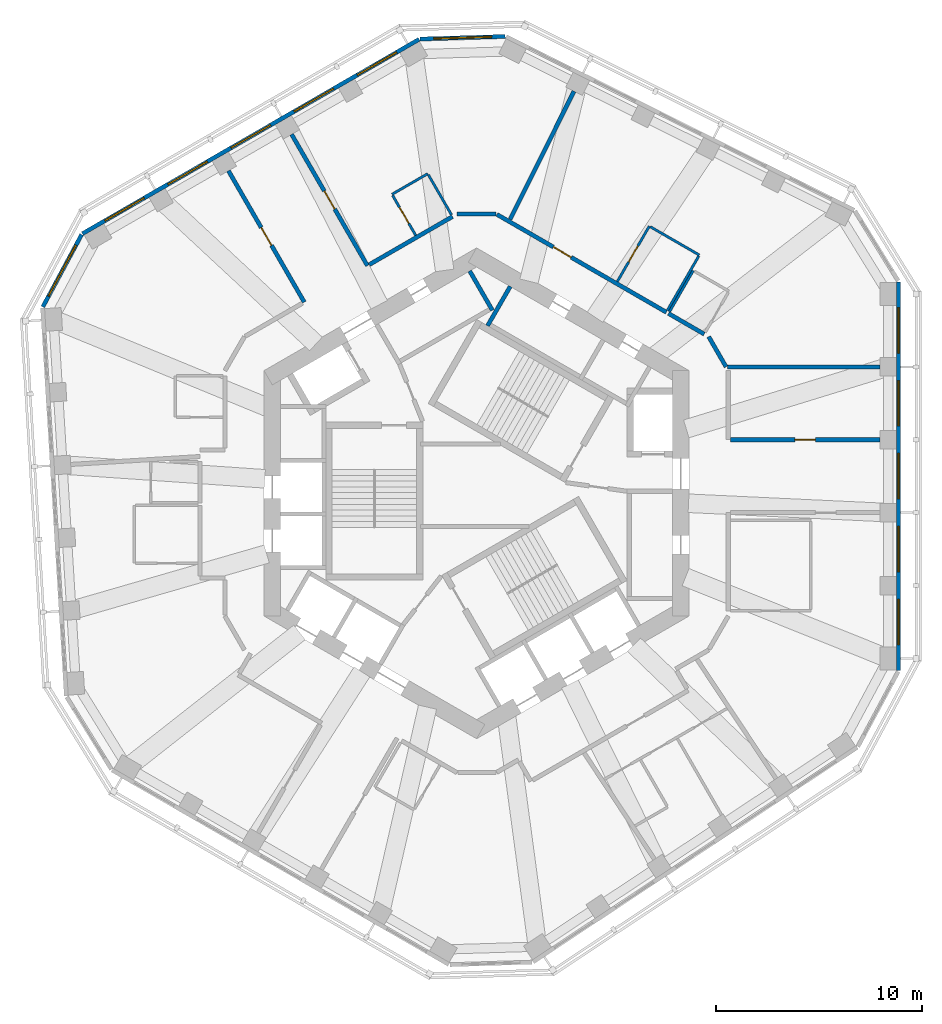
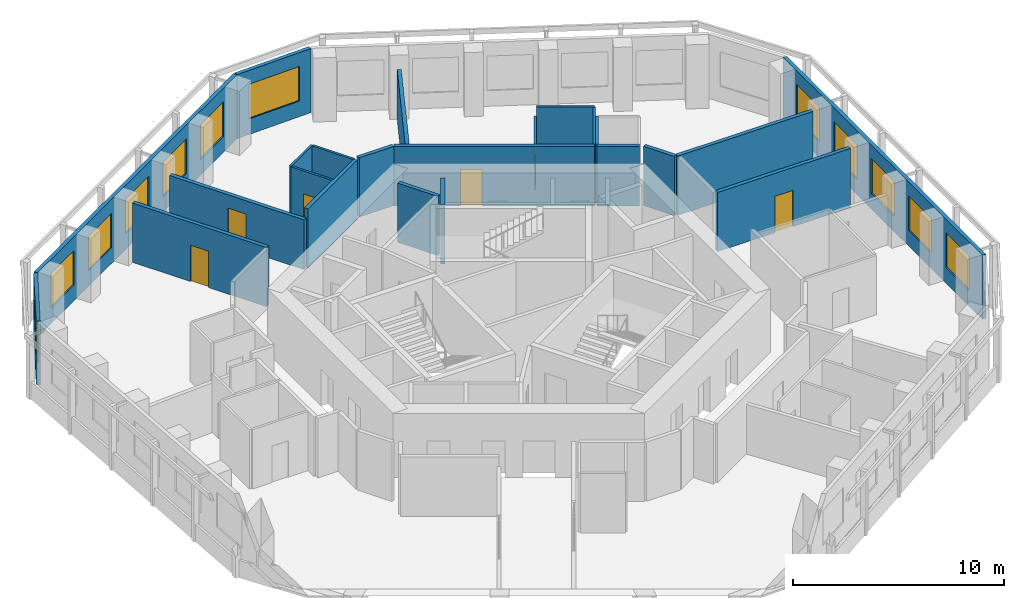
# One storey, part 7 of 11: 23 walls, 12 windows, 6 doors, 18 openings.
"""IFC4 building model written with IfcOpenShell, lengths in metres."""

from ifc_helpers import new_model, si_unit, direction, frame, frame_2d, origin, place, context, subcontext, project, spatial, rectangle, extrude, material, layer, layer_set, type_object, element, fill, save


model = new_model("IFC4")

# Units and contexts
model_context = context("Model", 3, precision=1e-05, world=origin(), true_north=direction((0.0, 1.0)))
body_context = subcontext(model_context, "Body", "Model", "MODEL_VIEW")
ifc_project = project(units=[si_unit("LENGTHUNIT", "METRE"), si_unit("AREAUNIT", "SQUARE_METRE"), si_unit("VOLUMEUNIT", "CUBIC_METRE"), si_unit("PLANEANGLEUNIT", "RADIAN"), si_unit("MASSUNIT", "GRAM", prefix="KILO")], contexts=[model_context])

# Site, building, storey
site_placement = place(None, origin())
site = spatial("IfcSite", under=ifc_project, at=site_placement, CompositionType="ELEMENT")
building_placement = place(site_placement, origin())
building = spatial("IfcBuilding", under=site, at=building_placement, Name="Vanh Sen Convention Tower", CompositionType="ELEMENT")
storey_placement = place(building_placement, frame((0.0, 0.0, 240.199951171875)))
storey = spatial("IfcBuildingStorey", under=building, at=storey_placement, Name="L59", CompositionType="ELEMENT", Elevation=240.199951171875)

# Wall
ifc_material_1 = material(Name="Moisture-resistant gypsum board on steel studs", Category="steel")
ifc_layer_1 = layer(ifc_material_1, 0.1201171875)
ifc_layer_set_1 = layer_set([ifc_layer_1], Name="Moisture-resistant gypsum board on steel studs")
wall_type_1 = type_object("IfcWallType", Name="Bathroom partition 120", PredefinedType="PARTITIONING", material=ifc_layer_set_1)
wall_1_placement = place(storey_placement, frame((-4.0986328125, 14.4921875, 0.0), z_axis=(0.0, 0.0, 1.0), x_axis=(0.866041268327, 0.499972520799, 0.0)))
element("IfcWall", 1, at=wall_1_placement, inside=storey, type_object=wall_type_1, Name="Bathroom partition 120", PredefinedType="PARTITIONING", context=body_context, shape_type="SweptSolid", body=[
    extrude(rectangle(XDim=2.0, YDim=0.1201171875, at=frame_2d((1.0, 0.0))), origin(), (0.0, 0.0, 1.0), 3.420166015625),
])

# Wall, opening, door
wall_2_placement = place(storey_placement, frame((-2.948486328125, 12.50048828125, 0.0), z_axis=(0.0, 0.0, 1.0), x_axis=(-0.500077830873, 0.865980463445, 0.0)))
wall_2 = element("IfcWall", 2, at=wall_2_placement, inside=storey, type_object=wall_type_1, Name="Bathroom partition 120", PredefinedType="PARTITIONING", context=body_context, shape_type="SweptSolid", body=[
    extrude(rectangle(XDim=2.239990234375, YDim=0.1201171875, at=frame_2d((1.1201171875, 0.0))), origin(), (0.0, 0.0, 1.0), 3.420166015625),
])
opening_1_placement = place(wall_2_placement, frame((0.669921875, 0.0, 0.0)))
opening_1 = element("IfcOpeningElement", 3, at=opening_1_placement, cuts=wall_2, Name="Opening D59106", PredefinedType="OPENING", context=body_context, shape_type="SweptSolid", body=[
    extrude(rectangle(XDim=0.89990234375, YDim=2.10009765625, at=frame_2d((0.449951171875, 1.050048828125))), frame((0.0, 0.070068359375, 0.0), z_axis=(0.0, -1.0, 0.0), x_axis=(1.0, 0.0, 0.0)), (0.0, 0.0, 1.0), 0.14013671875),
])
ifc_material_2 = material(Name="Laminate door in steel frame", Category="steel")
door_type_1 = type_object("IfcDoorType", Name="Room internal door 900", OperationType="SINGLE_SWING_LEFT", PredefinedType="DOOR", material=ifc_material_2)
door_1_placement = place(opening_1_placement, origin())
door_1 = element("IfcDoor", 4, at=door_1_placement, inside=storey, type_object=door_type_1, Name="Internal room door D59106", OperationType="SINGLE_SWING_LEFT", OverallHeight=2.10009765625, OverallWidth=0.89990234375, PredefinedType="DOOR", context=body_context, shape_type="SweptSolid", body=[
    extrude(rectangle(XDim=0.89990234375, YDim=2.10009765625, at=frame_2d((0.449951171875, 1.050048828125))), frame((0.0, 0.02490234375, 0.0), z_axis=(0.0, -1.0, 0.0), x_axis=(1.0, 0.0, 0.0)), (0.0, 0.0, 1.0), 0.050048828125),
])
fill(opening_1, door_1)

# Wall
wall_3_placement = place(storey_placement, frame((-2.33642578125, 15.440185546875, 0.0), z_axis=(0.0, 0.0, 1.0), x_axis=(0.49999608499, -0.866027664105, 0.0)))
element("IfcWall", 5, at=wall_3_placement, inside=storey, type_object=wall_type_1, Name="Bathroom partition 120", PredefinedType="PARTITIONING", context=body_context, shape_type="SweptSolid", body=[
    extrude(rectangle(XDim=2.23974609375, YDim=0.1201171875, at=frame_2d((1.119873046875, 0.0))), origin(), (0.0, 0.0, 1.0), 3.420166015625),
])

# Wall, opening, door
wall_4_placement = place(storey_placement, frame((6.822509765625, 10.263671875, 0.0), z_axis=(0.0, 0.0, 1.0), x_axis=(0.49999285859, 0.86602952684, 0.0)))
wall_4 = element("IfcWall", 6, at=wall_4_placement, inside=storey, type_object=wall_type_1, Name="Bathroom partition 120", PredefinedType="PARTITIONING", context=body_context, shape_type="SweptSolid", body=[
    extrude(rectangle(XDim=3.10009765625, YDim=0.1201171875, at=frame_2d((1.550048828125, 0.0))), origin(), (0.0, 0.0, 1.0), 2.8701171875),
])
opening_2_placement = place(wall_4_placement, frame((1.10009765625, 0.0, 0.0)))
opening_2 = element("IfcOpeningElement", 7, at=opening_2_placement, cuts=wall_4, Name="Opening D59104", PredefinedType="OPENING", context=body_context, shape_type="SweptSolid", body=[
    extrude(rectangle(XDim=0.89990234375, YDim=2.10009765625, at=frame_2d((0.449951171875, 1.050048828125))), frame((0.0, 0.070068359375, 0.0), z_axis=(0.0, -1.0, 0.0), x_axis=(1.0, 0.0, 0.0)), (0.0, 0.0, 1.0), 0.14013671875),
])
door_2_placement = place(opening_2_placement, origin())
door_2 = element("IfcDoor", 8, at=door_2_placement, inside=storey, type_object=door_type_1, Name="Internal room door D59104", OperationType="SINGLE_SWING_LEFT", OverallHeight=2.10009765625, OverallWidth=0.89990234375, PredefinedType="DOOR", context=body_context, shape_type="SweptSolid", body=[
    extrude(rectangle(XDim=0.89990234375, YDim=2.10009765625, at=frame_2d((0.449951171875, 1.050048828125))), frame((0.0, 0.02490234375, 0.0), z_axis=(0.0, -1.0, 0.0), x_axis=(1.0, 0.0, 0.0)), (0.0, 0.0, 1.0), 0.050048828125),
])
fill(opening_2, door_2)

# Walls
wall_5_placement = place(storey_placement, frame((8.424560546875, 12.91845703125, 0.0), z_axis=(0.0, 0.0, 1.0), x_axis=(0.866019409031, -0.500010383074, 0.0)))
element("IfcWall", 9, at=wall_5_placement, inside=storey, type_object=wall_type_1, Name="Bathroom partition 120", PredefinedType="PARTITIONING", context=body_context, shape_type="SweptSolid", body=[
    extrude(rectangle(XDim=2.740234375, YDim=0.1201171875, at=frame_2d((1.3701171875, 0.0))), origin(), (0.0, 0.0, 1.0), 3.420166015625),
])
wall_6_placement = place(storey_placement, frame((9.351318359375, 8.8037109375, 0.0), z_axis=(0.0, 0.0, 1.0), x_axis=(0.500031774688, 0.866007057882, 0.0)))
element("IfcWall", 10, at=wall_6_placement, inside=storey, type_object=wall_type_1, Name="Bathroom partition 120", PredefinedType="PARTITIONING", context=body_context, shape_type="SweptSolid", body=[
    extrude(rectangle(XDim=2.300048828125, YDim=0.1201171875, at=frame_2d((1.14990234375, 0.0))), origin(), (0.0, 0.0, 1.0), 3.420166015625),
])
wall_7_placement = place(storey_placement, frame((10.767578125, 11.496337890625, 0.0), z_axis=(0.0, 0.0, 1.0), x_axis=(-0.500026023896, -0.86601037836, 0.0)))
element("IfcWall", 11, at=wall_7_placement, inside=storey, type_object=wall_type_1, Name="Bathroom partition 120", PredefinedType="PARTITIONING", context=body_context, shape_type="SweptSolid", body=[
    extrude(rectangle(XDim=3.039794921875, YDim=0.1201171875, at=frame_2d((1.52001953125, 0.0))), origin(), (0.0, 0.0, 1.0), 3.420166015625),
])

# Wall, opening, door
ifc_material_3 = material(Name="Gypsum board on steel studs with mineral wool", Category="steel")
ifc_layer_2 = layer(ifc_material_3, 0.199951171875)
ifc_layer_set_2 = layer_set([ifc_layer_2], Name="Gypsum board on steel studs with mineral wool")
wall_type_2 = type_object("IfcWallType", Name="Corridor partition wall 200", PredefinedType="PARTITIONING", material=ifc_layer_set_2)
wall_8_placement = place(storey_placement, frame((-12.02490234375, 15.6318359375, 0.0), z_axis=(0.0, 0.0, 1.0), x_axis=(0.499983153418, -0.866035129944, 0.0)))
wall_8 = element("IfcWall", 12, at=wall_8_placement, inside=storey, type_object=wall_type_2, Name="Corridor partition wall 200", PredefinedType="PARTITIONING", context=body_context, shape_type="SweptSolid", body=[
    extrude(rectangle(XDim=7.349853515625, YDim=0.199951171875, at=frame_2d((3.6748046875, 0.0))), origin(), (0.0, 0.0, 1.0), 3.420166015625),
])
opening_3_placement = place(wall_8_placement, frame((3.175048828125, 0.0, 0.0)))
opening_3 = element("IfcOpeningElement", 13, at=opening_3_placement, cuts=wall_8, Name="Opening D59107", PredefinedType="OPENING", context=body_context, shape_type="SweptSolid", body=[
    extrude(rectangle(XDim=1.0, YDim=2.10009765625, at=frame_2d((0.5, 1.050048828125))), frame((0.0, 0.10986328125, 0.0), z_axis=(0.0, -1.0, 0.0), x_axis=(1.0, 0.0, 0.0)), (0.0, 0.0, 1.0), 0.219970703125),
])
ifc_material_4 = material(Name="Glazed fire door in steel frame", Category="steel")
door_type_2 = type_object("IfcDoorType", Name="Tenant entrance door 1000", OperationType="SINGLE_SWING_LEFT", PredefinedType="DOOR", material=ifc_material_4)
door_3_placement = place(opening_3_placement, origin())
door_3 = element("IfcDoor", 14, at=door_3_placement, inside=storey, type_object=door_type_2, Name="Tenant suite entrance door D59107", OperationType="SINGLE_SWING_LEFT", OverallHeight=2.10009765625, OverallWidth=1.0, PredefinedType="DOOR", context=body_context, shape_type="SweptSolid", body=[
    extrude(rectangle(XDim=1.0, YDim=2.10009765625, at=frame_2d((0.5, 1.050048828125))), frame((0.0, 0.02490234375, 0.0), z_axis=(0.0, -1.0, 0.0), x_axis=(1.0, 0.0, 0.0)), (0.0, 0.0, 1.0), 0.050048828125),
])
fill(opening_3, door_3)

wall_9_placement = place(storey_placement, frame((-8.96484375, 17.398681640625, 0.0), z_axis=(0.0, 0.0, 1.0), x_axis=(0.499993683172, -0.866029050776, 0.0)))
wall_9 = element("IfcWall", 15, at=wall_9_placement, inside=storey, type_object=wall_type_2, Name="Corridor partition wall 200", PredefinedType="PARTITIONING", context=body_context, shape_type="SweptSolid", body=[
    extrude(rectangle(XDim=7.35009765625, YDim=0.199951171875, at=frame_2d((3.675048828125, 0.0))), origin(), (0.0, 0.0, 1.0), 2.8701171875),
])
opening_4_placement = place(wall_9_placement, frame((3.175048828125, 0.0, 0.0)))
opening_4 = element("IfcOpeningElement", 16, at=opening_4_placement, cuts=wall_9, Name="Opening D59105", PredefinedType="OPENING", context=body_context, shape_type="SweptSolid", body=[
    extrude(rectangle(XDim=1.0, YDim=2.10009765625, at=frame_2d((0.5, 1.050048828125))), frame((0.0, 0.10986328125, 0.0), z_axis=(0.0, -1.0, 0.0), x_axis=(1.0, 0.0, 0.0)), (0.0, 0.0, 1.0), 0.219970703125),
])
door_4_placement = place(opening_4_placement, origin())
door_4 = element("IfcDoor", 17, at=door_4_placement, inside=storey, type_object=door_type_2, Name="Tenant suite entrance door D59105", OperationType="SINGLE_SWING_LEFT", OverallHeight=2.10009765625, OverallWidth=1.0, PredefinedType="DOOR", context=body_context, shape_type="SweptSolid", body=[
    extrude(rectangle(XDim=1.0, YDim=2.10009765625, at=frame_2d((0.5, 1.050048828125))), frame((0.0, 0.02490234375, 0.0), z_axis=(0.0, -1.0, 0.0), x_axis=(1.0, 0.0, 0.0)), (0.0, 0.0, 1.0), 0.050048828125),
])
fill(opening_4, door_4)

# Walls
wall_10_placement = place(storey_placement, frame((-1.16650390625, 13.413818359375, 0.0), z_axis=(0.0, 0.0, 1.0), x_axis=(-0.866023347809, -0.500003561037, 0.0)))
element("IfcWall", 18, at=wall_10_placement, inside=storey, type_object=wall_type_2, Name="Corridor partition wall 200", PredefinedType="PARTITIONING", context=body_context, shape_type="SweptSolid", body=[
    extrude(rectangle(XDim=4.6611328125, YDim=0.199951171875, at=frame_2d((2.33056640625, 0.0))), origin(), (0.0, 0.0, 1.0), 3.420166015625),
])
wall_11_placement = place(storey_placement, frame((0.949951171875, 13.538818359375, 0.0), z_axis=(0.0, 0.0, 1.0), x_axis=(-1.0, 0.0, 0.0)))
element("IfcWall", 19, at=wall_11_placement, inside=storey, type_object=wall_type_2, Name="Corridor partition wall 200", PredefinedType="PARTITIONING", context=body_context, shape_type="SweptSolid", body=[
    extrude(rectangle(XDim=1.89990234375, YDim=0.199951171875, at=frame_2d((0.949951171875, 0.0))), origin(), (0.0, 0.0, 1.0), 3.420166015625),
])

# Wall, opening, door
wall_12_placement = place(storey_placement, frame((9.197509765625, 8.777099609375, 0.0), z_axis=(0.0, 0.0, 1.0), x_axis=(-0.866026106692, 0.499998782526, 0.0)))
wall_12 = element("IfcWall", 20, at=wall_12_placement, inside=storey, type_object=wall_type_2, Name="Corridor partition wall 200", PredefinedType="PARTITIONING", context=body_context, shape_type="SweptSolid", body=[
    extrude(rectangle(XDim=9.4833984375, YDim=0.199951171875, at=frame_2d((4.74169921875, 0.0))), origin(), (0.0, 0.0, 1.0), 3.420166015625),
])
opening_5_placement = place(wall_12_placement, frame((5.3251953125, 0.0, 0.0)))
opening_5 = element("IfcOpeningElement", 21, at=opening_5_placement, cuts=wall_12, Name="Opening D59102", PredefinedType="OPENING", context=body_context, shape_type="SweptSolid", body=[
    extrude(rectangle(XDim=1.0, YDim=2.10009765625, at=frame_2d((0.5, 1.050048828125))), frame((0.0, 0.10986328125, 0.0), z_axis=(0.0, -1.0, 0.0), x_axis=(1.0, 0.0, 0.0)), (0.0, 0.0, 1.0), 0.219970703125),
])
door_5_placement = place(opening_5_placement, origin())
door_5 = element("IfcDoor", 22, at=door_5_placement, inside=storey, type_object=door_type_2, Name="Tenant suite entrance door D59102", OperationType="SINGLE_SWING_LEFT", OverallHeight=2.10009765625, OverallWidth=1.0, PredefinedType="DOOR", context=body_context, shape_type="SweptSolid", body=[
    extrude(rectangle(XDim=1.0, YDim=2.10009765625, at=frame_2d((0.5, 1.050048828125))), frame((0.0, 0.02490234375, 0.0), z_axis=(0.0, -1.0, 0.0), x_axis=(1.0, 0.0, 0.0)), (0.0, 0.0, 1.0), 0.050048828125),
])
fill(opening_5, door_5)

# Walls
wall_13_placement = place(storey_placement, frame((11.033447265625, 7.717041015625, 0.0), z_axis=(0.0, 0.0, 1.0), x_axis=(-0.866010750942, 0.50002537861, 0.0)))
element("IfcWall", 23, at=wall_13_placement, inside=storey, type_object=wall_type_2, Name="Corridor partition wall 200", PredefinedType="PARTITIONING", context=body_context, shape_type="SweptSolid", body=[
    extrude(rectangle(XDim=2.0, YDim=0.199951171875, at=frame_2d((1.0, 0.0))), origin(), (0.0, 0.0, 1.0), 3.420166015625),
])
wall_14_placement = place(storey_placement, frame((12.09326171875, 6.131591796875, 0.0), z_axis=(0.0, 0.0, 1.0), x_axis=(-0.500031561776, 0.866007180818, 0.0)))
element("IfcWall", 24, at=wall_14_placement, inside=storey, type_object=wall_type_2, Name="Corridor partition wall 200", PredefinedType="PARTITIONING", context=body_context, shape_type="SweptSolid", body=[
    extrude(rectangle(XDim=1.6865234375, YDim=0.199951171875, at=frame_2d((0.84326171875, 0.0))), origin(), (0.0, 0.0, 1.0), 3.420166015625),
])

# Wall, opening, door
wall_15_placement = place(storey_placement, frame((19.550048828125, 2.59814453125, 0.0), z_axis=(0.0, 0.0, 1.0), x_axis=(-1.0, 0.0, 0.0)))
wall_15 = element("IfcWall", 25, at=wall_15_placement, inside=storey, type_object=wall_type_2, Name="Corridor partition wall 200", PredefinedType="PARTITIONING", context=body_context, shape_type="SweptSolid", body=[
    extrude(rectangle(XDim=7.25, YDim=0.199951171875, at=frame_2d((3.625, 0.0))), origin(), (0.0, 0.0, 1.0), 3.420166015625),
])
opening_6_placement = place(wall_15_placement, frame((3.125, 0.0, 0.0)))
opening_6 = element("IfcOpeningElement", 26, at=opening_6_placement, cuts=wall_15, Name="Opening D59101", PredefinedType="OPENING", context=body_context, shape_type="SweptSolid", body=[
    extrude(rectangle(XDim=1.0, YDim=2.10009765625, at=frame_2d((0.5, 1.050048828125))), frame((0.0, 0.10986328125, 0.0), z_axis=(0.0, -1.0, 0.0), x_axis=(1.0, 0.0, 0.0)), (0.0, 0.0, 1.0), 0.219970703125),
])
door_6_placement = place(opening_6_placement, origin())
door_6 = element("IfcDoor", 27, at=door_6_placement, inside=storey, type_object=door_type_2, Name="Tenant suite entrance door D59101", OperationType="SINGLE_SWING_LEFT", OverallHeight=2.10009765625, OverallWidth=1.0, PredefinedType="DOOR", context=body_context, shape_type="SweptSolid", body=[
    extrude(rectangle(XDim=1.0, YDim=2.10009765625, at=frame_2d((0.5, 1.050048828125))), frame((0.0, 0.02490234375, 0.0), z_axis=(0.0, -1.0, 0.0), x_axis=(1.0, 0.0, 0.0)), (0.0, 0.0, 1.0), 0.050048828125),
])
fill(opening_6, door_6)

# Wall, openings, windows
ifc_material_5 = material(Name="Insulated lightweight infill wall")
ifc_layer_3 = layer(ifc_material_5, 0.199951171875)
ifc_layer_set_3 = layer_set([ifc_layer_3], Name="Insulated lightweight infill wall")
wall_type_3 = type_object("IfcWallType", Name="External wall 200", PredefinedType="STANDARD", material=ifc_layer_set_3)
wall_16_placement = place(storey_placement, frame((20.449951171875, -8.590087890625, 0.0), z_axis=(0.0, 0.0, 1.0), x_axis=(0.0, 1.0, 0.0)))
wall_16 = element("IfcWall", 28, at=wall_16_placement, inside=storey, type_object=wall_type_3, Name="External wall E L59", PredefinedType="STANDARD", context=body_context, shape_type="SweptSolid", body=[
    extrude(rectangle(XDim=18.84130859375, YDim=0.199951171875, at=frame_2d((9.420654296875, 0.0))), origin(), (0.0, 0.0, 1.0), 3.699951171875),
])
opening_7_placement = place(wall_16_placement, frame((1.254150390625, 0.0, 0.89990234375)))
opening_7 = element("IfcOpeningElement", 29, at=opening_7_placement, cuts=wall_16, Name="Opening WO3-E1", PredefinedType="OPENING", context=body_context, shape_type="SweptSolid", body=[
    extrude(rectangle(XDim=2.199951171875, YDim=2.0, at=frame_2d((1.10009765625, 1.0))), frame((0.0, 0.10986328125, 0.0), z_axis=(0.0, -1.0, 0.0), x_axis=(1.0, 0.0, 0.0)), (0.0, 0.0, 1.0), 0.219970703125),
])
opening_8_placement = place(wall_16_placement, frame((4.787841796875, 0.0, 0.89990234375)))
opening_8 = element("IfcOpeningElement", 30, at=opening_8_placement, cuts=wall_16, Name="Opening WO3-E2", PredefinedType="OPENING", context=body_context, shape_type="SweptSolid", body=[
    extrude(rectangle(XDim=2.199951171875, YDim=2.0, at=frame_2d((1.10009765625, 1.0))), frame((0.0, 0.10986328125, 0.0), z_axis=(0.0, -1.0, 0.0), x_axis=(1.0, 0.0, 0.0)), (0.0, 0.0, 1.0), 0.219970703125),
])
opening_9_placement = place(wall_16_placement, frame((8.321533203125, 0.0, 0.89990234375)))
opening_9 = element("IfcOpeningElement", 31, at=opening_9_placement, cuts=wall_16, Name="Opening WO3-E3", PredefinedType="OPENING", context=body_context, shape_type="SweptSolid", body=[
    extrude(rectangle(XDim=2.199951171875, YDim=2.0, at=frame_2d((1.10009765625, 1.0))), frame((0.0, 0.10986328125, 0.0), z_axis=(0.0, -1.0, 0.0), x_axis=(1.0, 0.0, 0.0)), (0.0, 0.0, 1.0), 0.219970703125),
])
opening_10_placement = place(wall_16_placement, frame((11.85498046875, 0.0, 0.89990234375)))
opening_10 = element("IfcOpeningElement", 32, at=opening_10_placement, cuts=wall_16, Name="Opening WO3-E4", PredefinedType="OPENING", context=body_context, shape_type="SweptSolid", body=[
    extrude(rectangle(XDim=2.199951171875, YDim=2.0, at=frame_2d((1.10009765625, 1.0))), frame((0.0, 0.10986328125, 0.0), z_axis=(0.0, -1.0, 0.0), x_axis=(1.0, 0.0, 0.0)), (0.0, 0.0, 1.0), 0.219970703125),
])
opening_11_placement = place(wall_16_placement, frame((15.388671875, 0.0, 0.89990234375)))
opening_11 = element("IfcOpeningElement", 33, at=opening_11_placement, cuts=wall_16, Name="Opening WO3-E5", PredefinedType="OPENING", context=body_context, shape_type="SweptSolid", body=[
    extrude(rectangle(XDim=2.199951171875, YDim=2.0, at=frame_2d((1.10009765625, 1.0))), frame((0.0, 0.10986328125, 0.0), z_axis=(0.0, -1.0, 0.0), x_axis=(1.0, 0.0, 0.0)), (0.0, 0.0, 1.0), 0.219970703125),
])
ifc_material_6 = material(Name="Aluminium frame with clear low-emissivity glass", Category="aluminium")
window_type_1 = type_object("IfcWindowType", Name="Office window 2200 x 2000", PartitioningType="SINGLE_PANEL", PredefinedType="WINDOW", material=ifc_material_6)
window_1_placement = place(opening_7_placement, origin())
window_1 = element("IfcWindow", 34, at=window_1_placement, inside=storey, type_object=window_type_1, Name="Window WO3-E1", OverallHeight=2.0, OverallWidth=2.199951171875, PartitioningType="SINGLE_PANEL", PredefinedType="WINDOW", context=body_context, shape_type="SweptSolid", body=[
    extrude(rectangle(XDim=2.199951171875, YDim=2.0, at=frame_2d((1.10009765625, 1.0))), frame((0.0, 0.030029296875, 0.0), z_axis=(0.0, -1.0, 0.0), x_axis=(1.0, 0.0, 0.0)), (0.0, 0.0, 1.0), 0.06005859375),
])
fill(opening_7, window_1)
window_2_placement = place(opening_8_placement, origin())
window_2 = element("IfcWindow", 35, at=window_2_placement, inside=storey, type_object=window_type_1, Name="Window WO3-E2", OverallHeight=2.0, OverallWidth=2.199951171875, PartitioningType="SINGLE_PANEL", PredefinedType="WINDOW", context=body_context, shape_type="SweptSolid", body=[
    extrude(rectangle(XDim=2.199951171875, YDim=2.0, at=frame_2d((1.10009765625, 1.0))), frame((0.0, 0.030029296875, 0.0), z_axis=(0.0, -1.0, 0.0), x_axis=(1.0, 0.0, 0.0)), (0.0, 0.0, 1.0), 0.06005859375),
])
fill(opening_8, window_2)
window_3_placement = place(opening_9_placement, origin())
window_3 = element("IfcWindow", 36, at=window_3_placement, inside=storey, type_object=window_type_1, Name="Window WO3-E3", OverallHeight=2.0, OverallWidth=2.199951171875, PartitioningType="SINGLE_PANEL", PredefinedType="WINDOW", context=body_context, shape_type="SweptSolid", body=[
    extrude(rectangle(XDim=2.199951171875, YDim=2.0, at=frame_2d((1.10009765625, 1.0))), frame((0.0, 0.030029296875, 0.0), z_axis=(0.0, -1.0, 0.0), x_axis=(1.0, 0.0, 0.0)), (0.0, 0.0, 1.0), 0.06005859375),
])
fill(opening_9, window_3)
window_4_placement = place(opening_10_placement, origin())
window_4 = element("IfcWindow", 37, at=window_4_placement, inside=storey, type_object=window_type_1, Name="Window WO3-E4", OverallHeight=2.0, OverallWidth=2.199951171875, PartitioningType="SINGLE_PANEL", PredefinedType="WINDOW", context=body_context, shape_type="SweptSolid", body=[
    extrude(rectangle(XDim=2.199951171875, YDim=2.0, at=frame_2d((1.10009765625, 1.0))), frame((0.0, 0.030029296875, 0.0), z_axis=(0.0, -1.0, 0.0), x_axis=(1.0, 0.0, 0.0)), (0.0, 0.0, 1.0), 0.06005859375),
])
fill(opening_10, window_4)
window_5_placement = place(opening_11_placement, origin())
window_5 = element("IfcWindow", 38, at=window_5_placement, inside=storey, type_object=window_type_1, Name="Window WO3-E5", OverallHeight=2.0, OverallWidth=2.199951171875, PartitioningType="SINGLE_PANEL", PredefinedType="WINDOW", context=body_context, shape_type="SweptSolid", body=[
    extrude(rectangle(XDim=2.199951171875, YDim=2.0, at=frame_2d((1.10009765625, 1.0))), frame((0.0, 0.030029296875, 0.0), z_axis=(0.0, -1.0, 0.0), x_axis=(1.0, 0.0, 0.0)), (0.0, 0.0, 1.0), 0.06005859375),
])
fill(opening_11, window_5)

# Wall, opening, window
wall_17_placement = place(storey_placement, frame((1.389404296875, 22.144775390625, 0.0), z_axis=(0.0, 0.0, 1.0), x_axis=(-0.999534702881, -0.030502093955, 0.0)))
wall_17 = element("IfcWall", 39, at=wall_17_placement, inside=storey, type_object=wall_type_3, Name="External wall CH2 L59", PredefinedType="STANDARD", context=body_context, shape_type="SweptSolid", body=[
    extrude(rectangle(XDim=4.130126953125, YDim=0.199951171875, at=frame_2d((2.06494140625, 0.0))), origin(), (0.0, 0.0, 1.0), 3.699951171875),
])
opening_12_placement = place(wall_17_placement, frame((0.6650390625, 0.0, 0.89990234375)))
opening_12 = element("IfcOpeningElement", 40, at=opening_12_placement, cuts=wall_17, Name="Opening WO4-CH21", PredefinedType="OPENING", context=body_context, shape_type="SweptSolid", body=[
    extrude(rectangle(XDim=2.800048828125, YDim=2.0, at=frame_2d((1.39990234375, 1.0))), frame((0.0, 0.10986328125, 0.0), z_axis=(0.0, -1.0, 0.0), x_axis=(1.0, 0.0, 0.0)), (0.0, 0.0, 1.0), 0.219970703125),
])
window_type_2 = type_object("IfcWindowType", Name="Office window 2800 x 2000", PartitioningType="SINGLE_PANEL", PredefinedType="WINDOW", material=ifc_material_6)
window_6_placement = place(opening_12_placement, origin())
window_6 = element("IfcWindow", 41, at=window_6_placement, inside=storey, type_object=window_type_2, Name="Window WO4-CH21", OverallHeight=2.0, OverallWidth=2.800048828125, PartitioningType="SINGLE_PANEL", PredefinedType="WINDOW", context=body_context, shape_type="SweptSolid", body=[
    extrude(rectangle(XDim=2.800048828125, YDim=2.0, at=frame_2d((1.39990234375, 1.0))), frame((0.0, 0.030029296875, 0.0), z_axis=(0.0, -1.0, 0.0), x_axis=(1.0, 0.0, 0.0)), (0.0, 0.0, 1.0), 0.06005859375),
])
fill(opening_12, window_6)

# Wall, openings, windows
wall_18_placement = place(storey_placement, frame((-2.78564453125, 22.00537109375, 0.0), z_axis=(0.0, 0.0, 1.0), x_axis=(-0.866026555358, -0.49999800541, 0.0)))
wall_18 = element("IfcWall", 42, at=wall_18_placement, inside=storey, type_object=wall_type_3, Name="External wall NW L59", PredefinedType="STANDARD", context=body_context, shape_type="SweptSolid", body=[
    extrude(rectangle(XDim=18.84130859375, YDim=0.199951171875, at=frame_2d((9.420654296875, 0.0))), origin(), (0.0, 0.0, 1.0), 3.699951171875),
])
opening_13_placement = place(wall_18_placement, frame((1.254150390625, 0.0, 0.89990234375)))
opening_13 = element("IfcOpeningElement", 43, at=opening_13_placement, cuts=wall_18, Name="Opening WO3-NW1", PredefinedType="OPENING", context=body_context, shape_type="SweptSolid", body=[
    extrude(rectangle(XDim=2.199951171875, YDim=2.0, at=frame_2d((1.10009765625, 1.0))), frame((0.0, 0.10986328125, 0.0), z_axis=(0.0, -1.0, 0.0), x_axis=(1.0, 0.0, 0.0)), (0.0, 0.0, 1.0), 0.219970703125),
])
opening_14_placement = place(wall_18_placement, frame((4.787841796875, 0.0, 0.89990234375)))
opening_14 = element("IfcOpeningElement", 44, at=opening_14_placement, cuts=wall_18, Name="Opening WO3-NW2", PredefinedType="OPENING", context=body_context, shape_type="SweptSolid", body=[
    extrude(rectangle(XDim=2.199951171875, YDim=2.0, at=frame_2d((1.10009765625, 1.0))), frame((0.0, 0.10986328125, 0.0), z_axis=(0.0, -1.0, 0.0), x_axis=(1.0, 0.0, 0.0)), (0.0, 0.0, 1.0), 0.219970703125),
])
opening_15_placement = place(wall_18_placement, frame((8.3212890625, 0.0, 0.89990234375)))
opening_15 = element("IfcOpeningElement", 45, at=opening_15_placement, cuts=wall_18, Name="Opening WO3-NW3", PredefinedType="OPENING", context=body_context, shape_type="SweptSolid", body=[
    extrude(rectangle(XDim=2.199951171875, YDim=2.0, at=frame_2d((1.10009765625, 1.0))), frame((0.0, 0.10986328125, 0.0), z_axis=(0.0, -1.0, 0.0), x_axis=(1.0, 0.0, 0.0)), (0.0, 0.0, 1.0), 0.219970703125),
])
opening_16_placement = place(wall_18_placement, frame((11.85498046875, 0.0, 0.89990234375)))
opening_16 = element("IfcOpeningElement", 46, at=opening_16_placement, cuts=wall_18, Name="Opening WO3-NW4", PredefinedType="OPENING", context=body_context, shape_type="SweptSolid", body=[
    extrude(rectangle(XDim=2.199951171875, YDim=2.0, at=frame_2d((1.10009765625, 1.0))), frame((0.0, 0.10986328125, 0.0), z_axis=(0.0, -1.0, 0.0), x_axis=(1.0, 0.0, 0.0)), (0.0, 0.0, 1.0), 0.219970703125),
])
opening_17_placement = place(wall_18_placement, frame((15.388671875, 0.0, 0.89990234375)))
opening_17 = element("IfcOpeningElement", 47, at=opening_17_placement, cuts=wall_18, Name="Opening WO3-NW5", PredefinedType="OPENING", context=body_context, shape_type="SweptSolid", body=[
    extrude(rectangle(XDim=2.199951171875, YDim=2.0, at=frame_2d((1.10009765625, 1.0))), frame((0.0, 0.10986328125, 0.0), z_axis=(0.0, -1.0, 0.0), x_axis=(1.0, 0.0, 0.0)), (0.0, 0.0, 1.0), 0.219970703125),
])
window_7_placement = place(opening_13_placement, origin())
window_7 = element("IfcWindow", 48, at=window_7_placement, inside=storey, type_object=window_type_1, Name="Window WO3-NW1", OverallHeight=2.0, OverallWidth=2.199951171875, PartitioningType="SINGLE_PANEL", PredefinedType="WINDOW", context=body_context, shape_type="SweptSolid", body=[
    extrude(rectangle(XDim=2.199951171875, YDim=2.0, at=frame_2d((1.10009765625, 1.0))), frame((0.0, 0.030029296875, 0.0), z_axis=(0.0, -1.0, 0.0), x_axis=(1.0, 0.0, 0.0)), (0.0, 0.0, 1.0), 0.06005859375),
])
fill(opening_13, window_7)
window_8_placement = place(opening_14_placement, origin())
window_8 = element("IfcWindow", 49, at=window_8_placement, inside=storey, type_object=window_type_1, Name="Window WO3-NW2", OverallHeight=2.0, OverallWidth=2.199951171875, PartitioningType="SINGLE_PANEL", PredefinedType="WINDOW", context=body_context, shape_type="SweptSolid", body=[
    extrude(rectangle(XDim=2.199951171875, YDim=2.0, at=frame_2d((1.10009765625, 1.0))), frame((0.0, 0.030029296875, 0.0), z_axis=(0.0, -1.0, 0.0), x_axis=(1.0, 0.0, 0.0)), (0.0, 0.0, 1.0), 0.06005859375),
])
fill(opening_14, window_8)
window_9_placement = place(opening_15_placement, origin())
window_9 = element("IfcWindow", 50, at=window_9_placement, inside=storey, type_object=window_type_1, Name="Window WO3-NW3", OverallHeight=2.0, OverallWidth=2.199951171875, PartitioningType="SINGLE_PANEL", PredefinedType="WINDOW", context=body_context, shape_type="SweptSolid", body=[
    extrude(rectangle(XDim=2.199951171875, YDim=2.0, at=frame_2d((1.10009765625, 1.0))), frame((0.0, 0.030029296875, 0.0), z_axis=(0.0, -1.0, 0.0), x_axis=(1.0, 0.0, 0.0)), (0.0, 0.0, 1.0), 0.06005859375),
])
fill(opening_15, window_9)
window_10_placement = place(opening_16_placement, origin())
window_10 = element("IfcWindow", 51, at=window_10_placement, inside=storey, type_object=window_type_1, Name="Window WO3-NW4", OverallHeight=2.0, OverallWidth=2.199951171875, PartitioningType="SINGLE_PANEL", PredefinedType="WINDOW", context=body_context, shape_type="SweptSolid", body=[
    extrude(rectangle(XDim=2.199951171875, YDim=2.0, at=frame_2d((1.10009765625, 1.0))), frame((0.0, 0.030029296875, 0.0), z_axis=(0.0, -1.0, 0.0), x_axis=(1.0, 0.0, 0.0)), (0.0, 0.0, 1.0), 0.06005859375),
])
fill(opening_16, window_10)
window_11_placement = place(opening_17_placement, origin())
window_11 = element("IfcWindow", 52, at=window_11_placement, inside=storey, type_object=window_type_1, Name="Window WO3-NW5", OverallHeight=2.0, OverallWidth=2.199951171875, PartitioningType="SINGLE_PANEL", PredefinedType="WINDOW", context=body_context, shape_type="SweptSolid", body=[
    extrude(rectangle(XDim=2.199951171875, YDim=2.0, at=frame_2d((1.10009765625, 1.0))), frame((0.0, 0.030029296875, 0.0), z_axis=(0.0, -1.0, 0.0), x_axis=(1.0, 0.0, 0.0)), (0.0, 0.0, 1.0), 0.06005859375),
])
fill(opening_17, window_11)

# Wall, opening, window
wall_19_placement = place(storey_placement, frame((-19.140869140625, 12.54541015625, 0.0), z_axis=(0.0, 0.0, 1.0), x_axis=(-0.473306370921, -0.880897882416, 0.0)))
wall_19 = element("IfcWall", 53, at=wall_19_placement, inside=storey, type_object=wall_type_3, Name="External wall CH3 L59", PredefinedType="STANDARD", context=body_context, shape_type="SweptSolid", body=[
    extrude(rectangle(XDim=3.982666015625, YDim=0.199951171875, at=frame_2d((1.9912109375, 0.0))), origin(), (0.0, 0.0, 1.0), 3.699951171875),
])
opening_18_placement = place(wall_19_placement, frame((0.59130859375, 0.0, 0.89990234375)))
opening_18 = element("IfcOpeningElement", 54, at=opening_18_placement, cuts=wall_19, Name="Opening WO4-CH31", PredefinedType="OPENING", context=body_context, shape_type="SweptSolid", body=[
    extrude(rectangle(XDim=2.800048828125, YDim=2.0, at=frame_2d((1.39990234375, 1.0))), frame((0.0, 0.10986328125, 0.0), z_axis=(0.0, -1.0, 0.0), x_axis=(1.0, 0.0, 0.0)), (0.0, 0.0, 1.0), 0.219970703125),
])
window_12_placement = place(opening_18_placement, origin())
window_12 = element("IfcWindow", 55, at=window_12_placement, inside=storey, type_object=window_type_2, Name="Window WO4-CH31", OverallHeight=2.0, OverallWidth=2.800048828125, PartitioningType="SINGLE_PANEL", PredefinedType="WINDOW", context=body_context, shape_type="SweptSolid", body=[
    extrude(rectangle(XDim=2.800048828125, YDim=2.0, at=frame_2d((1.39990234375, 1.0))), frame((0.0, 0.030029296875, 0.0), z_axis=(0.0, -1.0, 0.0), x_axis=(1.0, 0.0, 0.0)), (0.0, 0.0, 1.0), 0.06005859375),
])
fill(opening_18, window_12)

# Walls
ifc_material_7 = material(Name="Concrete C40/50", Category="concrete")
ifc_layer_4 = layer(ifc_material_7, 0.199951171875)
ifc_layer_set_4 = layer_set([ifc_layer_4], Name="Concrete C40/50")
wall_type_4 = type_object("IfcWallType", Name="Lift shaft wall 200", PredefinedType="PARTITIONING", material=ifc_layer_set_4)
wall_20_placement = place(storey_placement, frame((0.5322265625, 8.1220703125, 0.0), z_axis=(0.0, 0.0, 1.0), x_axis=(0.500077893725, 0.86598042715, 0.0)))
element("IfcWall", 56, at=wall_20_placement, inside=storey, type_object=wall_type_4, Name="Lift shaft wall L59", PredefinedType="PARTITIONING", context=body_context, shape_type="SweptSolid", body=[
    extrude(rectangle(XDim=2.199951171875, YDim=0.199951171875, at=frame_2d((1.10009765625, 0.0))), origin(), (0.0, 0.0, 1.0), 3.420166015625),
])
wall_21_placement = place(storey_placement, frame((0.7666015625, 8.8720703125, 0.0), z_axis=(0.0, 0.0, 1.0), x_axis=(-0.499994660107, 0.866028486751, 0.0)))
element("IfcWall", 57, at=wall_21_placement, inside=storey, type_object=wall_type_4, Name="Lift shaft wall L59", PredefinedType="PARTITIONING", context=body_context, shape_type="SweptSolid", body=[
    extrude(rectangle(XDim=2.19970703125, YDim=0.199951171875, at=frame_2d((1.099853515625, 0.0))), origin(), (0.0, 0.0, 1.0), 3.420166015625),
])
ifc_layer_5 = layer(ifc_material_3, 0.199951171875)
ifc_layer_set_5 = layer_set([ifc_layer_5], Name="Gypsum board on steel studs with mineral wool")
wall_type_5 = type_object("IfcWallType", Name="Tenant suite wall 200", PredefinedType="PARTITIONING", material=ifc_layer_set_5)
wall_22_placement = place(storey_placement, frame((4.723388671875, 19.489990234375, 0.0), z_axis=(0.0, 0.0, 1.0), x_axis=(-0.446186614574, -0.894939944898, 0.0)))
element("IfcWall", 58, at=wall_22_placement, inside=storey, type_object=wall_type_5, Name="Tenant suite wall 200", PredefinedType="PARTITIONING", context=body_context, shape_type="SweptSolid", body=[
    extrude(rectangle(XDim=6.943603515625, YDim=0.199951171875, at=frame_2d((3.4716796875, 0.0))), origin(), (0.0, 0.0, 1.0), 2.8701171875),
])
wall_23_placement = place(storey_placement, frame((19.550048828125, 6.131591796875, 0.0), z_axis=(0.0, 0.0, 1.0), x_axis=(-1.0, 0.0, 0.0)))
element("IfcWall", 59, at=wall_23_placement, inside=storey, type_object=wall_type_5, Name="Tenant suite wall 200", PredefinedType="PARTITIONING", context=body_context, shape_type="SweptSolid", body=[
    extrude(rectangle(XDim=7.376953125, YDim=0.199951171875, at=frame_2d((3.6884765625, 0.0))), origin(), (0.0, 0.0, 1.0), 3.420166015625),
])

save(model, "model.ifc")
